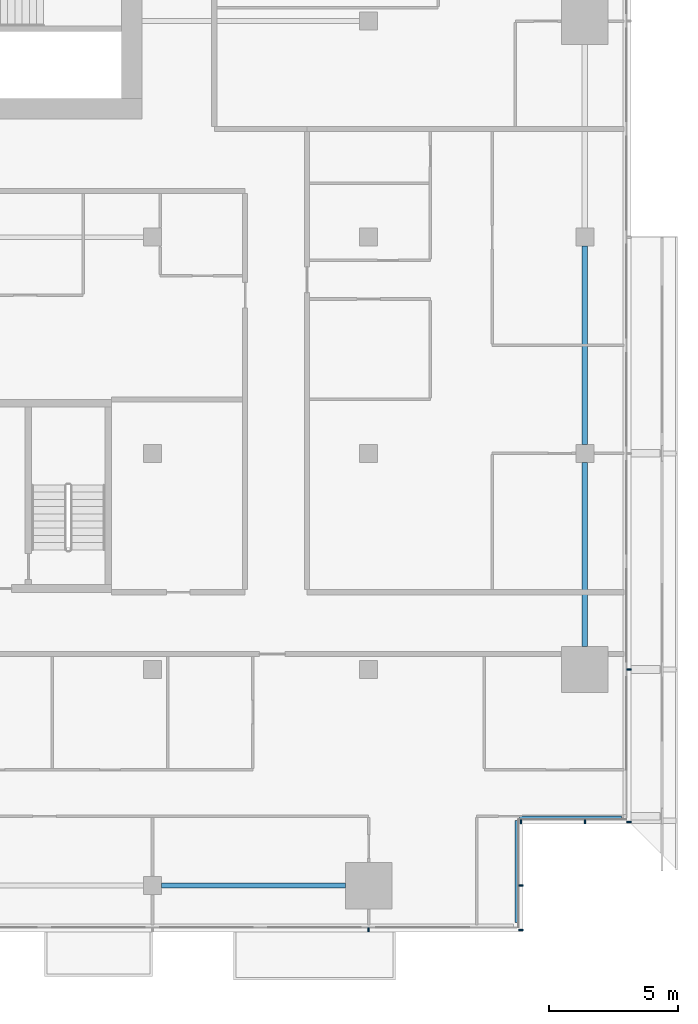
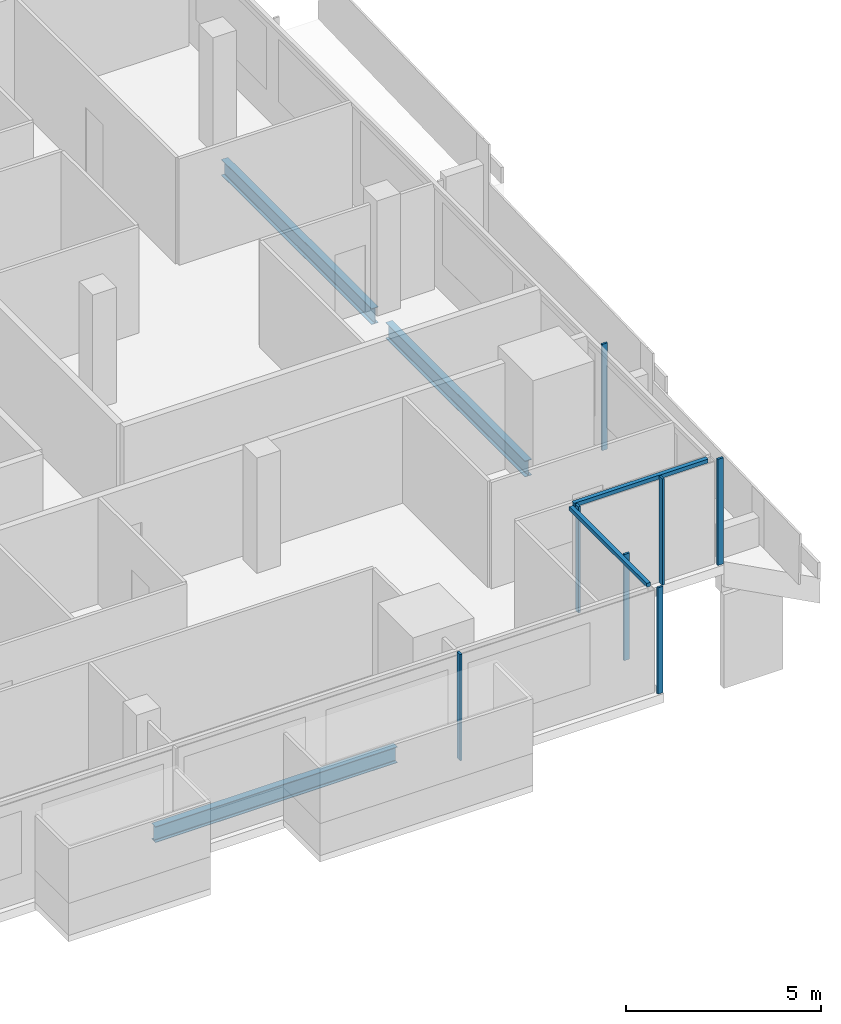
# One storey, part 11 of 29: 9 members, 3 beams, 4 elements without a shape of their own.
"""IFC4 building model written with IfcOpenShell, lengths in metres."""

from ifc_helpers import new_model, si_unit, direction, frame, origin, origin_2d, place, context, subcontext, project, spatial, rectangle, i_section, extrude, material, material_profile, profile_set, type_object, element, aggregate, save


model = new_model("IFC4")

# Units and contexts
model_context = context("Model", 3, precision=1e-05, world=origin(), true_north=direction((0.0, 1.0)))
body_context = subcontext(model_context, "Body", "Model", "MODEL_VIEW")
ifc_project = project(units=[si_unit("LENGTHUNIT", "METRE"), si_unit("AREAUNIT", "SQUARE_METRE"), si_unit("VOLUMEUNIT", "CUBIC_METRE"), si_unit("PLANEANGLEUNIT", "RADIAN"), si_unit("MASSUNIT", "GRAM", prefix="KILO")], contexts=[model_context])

# Site, building, storey
site_placement = place(None, origin())
site = spatial("IfcSite", under=ifc_project, at=site_placement, CompositionType="ELEMENT")
building_placement = place(site_placement, origin())
building = spatial("IfcBuilding", under=site, at=building_placement, Name="Saffron Gate Tower", CompositionType="ELEMENT")
storey_placement = place(building_placement, frame((0.0, 0.0, 161.85009765625)))
storey = spatial("IfcBuildingStorey", under=building, at=storey_placement, Name="L39", CompositionType="ELEMENT", Elevation=161.85009765625)

# Beams
ifc_material_1 = material(Name="Structural steel S355", Category="steel")
ifc_material_profile_1 = material_profile(ifc_material_1, i_section(OverallWidth=0.199951171875, OverallDepth=0.5, WebThickness=0.01025390625, FlangeThickness=0.01611328125, FilletRadius=0.02099609375, at=origin_2d()))
ifc_profile_set_1 = profile_set([ifc_material_profile_1], Name="Structural steel S355")
beam_type = type_object("IfcBeamType", Name="B11 IPE 500", PredefinedType="SPANDREL", material=ifc_profile_set_1)
beam_1_placement = place(storey_placement, frame((108.949951171875, 31.800048828125, -0.530029296875), z_axis=(1.0, 0.0, 0.0), x_axis=(0.0, 1.0, 0.0)))
element("IfcBeam", 1, at=beam_1_placement, inside=storey, type_object=beam_type, Name="B11 SPANDREL BEAM", PredefinedType="SPANDREL", context=body_context, shape_type="SweptSolid", body=[
    extrude(i_section(OverallWidth=0.199951171875, OverallDepth=0.5, WebThickness=0.01025390625, FlangeThickness=0.01611328125, FilletRadius=0.02099609375, at=origin_2d()), origin(), (0.0, 0.0, 1.0), 7.150146484375),
])
beam_2_placement = place(storey_placement, frame((125.39990234375, 41.10009765625, -0.530029296875), z_axis=(0.0, 1.0, 0.0), x_axis=(-1.0, 0.0, 0.0)))
element("IfcBeam", 2, at=beam_2_placement, inside=storey, type_object=beam_type, Name="B11 SPANDREL BEAM", PredefinedType="SPANDREL", context=body_context, shape_type="SweptSolid", body=[
    extrude(i_section(OverallWidth=0.199951171875, OverallDepth=0.5, WebThickness=0.01025390625, FlangeThickness=0.01611328125, FilletRadius=0.02099609375, at=origin_2d()), origin(), (0.0, 0.0, 1.0), 7.14990234375),
])
beam_3_placement = place(storey_placement, frame((125.39990234375, 48.949951171875, -0.530029296875), z_axis=(0.0, 1.0, 0.0), x_axis=(-1.0, 0.0, 0.0)))
element("IfcBeam", 3, at=beam_3_placement, inside=storey, type_object=beam_type, Name="B11 SPANDREL BEAM", PredefinedType="SPANDREL", context=body_context, shape_type="SweptSolid", body=[
    extrude(i_section(OverallWidth=0.199951171875, OverallDepth=0.5, WebThickness=0.01025390625, FlangeThickness=0.01611328125, FilletRadius=0.02099609375, at=origin_2d()), origin(), (0.0, 0.0, 1.0), 7.699951171875),
])

# Curtain wall, member
ifc_material_2 = material(Name="Aluminium, bronze anodised", Category="aluminium")
curtain_wall_type_1 = type_object("IfcCurtainWallType", Name="CWS1 curtain wall front facade", PredefinedType="NOTDEFINED", material=ifc_material_2)
curtain_wall_1_placement = place(storey_placement, origin())
curtain_wall_1 = element("IfcCurtainWall", 4, at=curtain_wall_1_placement, inside=storey, type_object=curtain_wall_type_1, Name="CWS1 run 1", PredefinedType="NOTDEFINED")
ifc_material_profile_2 = material_profile(ifc_material_2, rectangle(XDim=0.159912109375, YDim=0.06005859375, at=origin_2d()))
ifc_profile_set_2 = profile_set([ifc_material_profile_2], Name="Aluminium, bronze anodised")
member_type_1 = type_object("IfcMemberType", Name="CWS1 mullion 60x160", PredefinedType="MULLION", material=ifc_profile_set_2)
member_1_placement = place(storey_placement, frame((117.0, 30.080078125, 0.0), z_axis=(0.0, 0.0, 1.0), x_axis=(0.0, 1.0, 0.0)))
member_1 = element("IfcMember", 5, at=member_1_placement, type_object=member_type_1, Name="CWS1 mullion 9", PredefinedType="MULLION", context=body_context, shape_type="SweptSolid", body=[
    extrude(rectangle(XDim=0.159912109375, YDim=0.06005859375, at=origin_2d()), origin(), (0.0, 0.0, 1.0), 3.31982421875),
])
aggregate(curtain_wall_1, [member_1])

# Curtain wall, members
curtain_wall_type_2 = type_object("IfcCurtainWallType", Name="CWS2 curtain wall side facades", PredefinedType="NOTDEFINED", material=ifc_material_2)
curtain_wall_2_placement = place(storey_placement, origin())
curtain_wall_2 = element("IfcCurtainWall", 6, at=curtain_wall_2_placement, inside=storey, type_object=curtain_wall_type_2, Name="CWS2 run 4", PredefinedType="NOTDEFINED")
ifc_material_profile_3 = material_profile(ifc_material_2, rectangle(XDim=0.159912109375, YDim=0.06005859375, at=origin_2d()))
ifc_profile_set_3 = profile_set([ifc_material_profile_3], Name="Aluminium, bronze anodised")
member_type_2 = type_object("IfcMemberType", Name="CWS2 mullion 60x160", PredefinedType="MULLION", material=ifc_profile_set_3)
member_2_placement = place(storey_placement, frame((127.1201171875, 34.280029296875, 0.0), z_axis=(0.0, 0.0, 1.0), x_axis=(-1.0, 0.0, 0.0)))
member_2 = element("IfcMember", 7, at=member_2_placement, type_object=member_type_2, Name="CWS2 mullion 1", PredefinedType="MULLION", context=body_context, shape_type="SweptSolid", body=[
    extrude(rectangle(XDim=0.159912109375, YDim=0.06005859375, at=origin_2d()), origin(), (0.0, 0.0, 1.0), 3.31982421875),
])
member_3_placement = place(storey_placement, frame((127.1201171875, 40.199951171875, 0.0), z_axis=(0.0, 0.0, 1.0), x_axis=(-1.0, 0.0, 0.0)))
member_3 = element("IfcMember", 8, at=member_3_placement, type_object=member_type_2, Name="CWS2 mullion 2", PredefinedType="MULLION", context=body_context, shape_type="SweptSolid", body=[
    extrude(rectangle(XDim=0.159912109375, YDim=0.06005859375, at=origin_2d()), origin(), (0.0, 0.0, 1.0), 3.31982421875),
])
aggregate(curtain_wall_2, [member_2, member_3])

# Curtain wall, member
curtain_wall_type_3 = type_object("IfcCurtainWallType", Name="CWS4 curtain wall corner returns", PredefinedType="NOTDEFINED", material=ifc_material_2)
curtain_wall_3_placement = place(storey_placement, origin())
curtain_wall_3 = element("IfcCurtainWall", 9, at=curtain_wall_3_placement, inside=storey, type_object=curtain_wall_type_3, Name="CWS4 run 2", PredefinedType="NOTDEFINED")
ifc_material_profile_4 = material_profile(ifc_material_2, rectangle(XDim=0.1201171875, YDim=0.1201171875, at=origin_2d()))
ifc_profile_set_4 = profile_set([ifc_material_profile_4], Name="Aluminium, bronze anodised")
member_type_3 = type_object("IfcMemberType", Name="CWS4 head transom", PredefinedType="USERDEFINED", material=ifc_profile_set_4)
member_4_placement = place(storey_placement, frame((122.751953125, 30.367919921875, 3.260009765625), z_axis=(0.0, 1.0, 0.0), x_axis=(-1.0, 0.0, 0.0)))
member_4 = element("IfcMember", 10, at=member_4_placement, type_object=member_type_3, Name="CWS4 head transom", ObjectType="TRANSOM", PredefinedType="USERDEFINED", context=body_context, shape_type="SweptSolid", body=[
    extrude(rectangle(XDim=0.1201171875, YDim=0.1201171875, at=origin_2d()), origin(), (0.0, 0.0, 1.0), 3.9599609375),
])

curtain_wall_4_placement = place(storey_placement, origin())
curtain_wall_4 = element("IfcCurtainWall", 11, at=curtain_wall_4_placement, inside=storey, type_object=curtain_wall_type_3, Name="CWS4 run 3", PredefinedType="NOTDEFINED")
member_5_placement = place(storey_placement, frame((122.8720703125, 34.447998046875, 3.260009765625), z_axis=(1.0, 0.0, 0.0), x_axis=(0.0, 1.0, 0.0)))
member_5 = element("IfcMember", 12, at=member_5_placement, type_object=member_type_3, Name="CWS4 head transom", ObjectType="TRANSOM", PredefinedType="USERDEFINED", context=body_context, shape_type="SweptSolid", body=[
    extrude(rectangle(XDim=0.1201171875, YDim=0.1201171875, at=origin_2d()), origin(), (0.0, 0.0, 1.0), 3.9599609375),
])

# Member
ifc_material_profile_5 = material_profile(ifc_material_2, rectangle(XDim=0.159912109375, YDim=0.06005859375, at=origin_2d()))
ifc_profile_set_5 = profile_set([ifc_material_profile_5], Name="Aluminium, bronze anodised")
member_type_4 = type_object("IfcMemberType", Name="CWS4 mullion 60x160", PredefinedType="MULLION", material=ifc_profile_set_5)
member_6_placement = place(storey_placement, frame((122.919921875, 30.080078125, 0.0), z_axis=(0.0, 0.0, 1.0), x_axis=(-1.0, 0.0, 0.0)))
member_6 = element("IfcMember", 13, at=member_6_placement, type_object=member_type_4, Name="CWS4 mullion 1", PredefinedType="MULLION", context=body_context, shape_type="SweptSolid", body=[
    extrude(rectangle(XDim=0.159912109375, YDim=0.06005859375, at=origin_2d()), origin(), (0.0, 0.0, 1.0), 3.31982421875),
])

member_7_placement = place(storey_placement, frame((122.919921875, 31.800048828125, 0.0), z_axis=(0.0, 0.0, 1.0), x_axis=(-1.0, 0.0, 0.0)))
member_7 = element("IfcMember", 14, at=member_7_placement, type_object=member_type_4, Name="CWS4 mullion 2", PredefinedType="MULLION", context=body_context, shape_type="SweptSolid", body=[
    extrude(rectangle(XDim=0.159912109375, YDim=0.06005859375, at=origin_2d()), origin(), (0.0, 0.0, 1.0), 3.31982421875),
])

aggregate(curtain_wall_3, [member_6, member_7, member_4])

member_8_placement = place(storey_placement, frame((122.919921875, 34.280029296875, 0.0), z_axis=(0.0, 0.0, 1.0), x_axis=(0.0, 1.0, 0.0)))
member_8 = element("IfcMember", 15, at=member_8_placement, type_object=member_type_4, Name="CWS4 mullion 1", PredefinedType="MULLION", context=body_context, shape_type="SweptSolid", body=[
    extrude(rectangle(XDim=0.159912109375, YDim=0.06005859375, at=origin_2d()), origin(), (0.0, 0.0, 1.0), 3.31982421875),
])

member_9_placement = place(storey_placement, frame((125.39990234375, 34.280029296875, 0.0), z_axis=(0.0, 0.0, 1.0), x_axis=(0.0, 1.0, 0.0)))
member_9 = element("IfcMember", 16, at=member_9_placement, type_object=member_type_4, Name="CWS4 mullion 2", PredefinedType="MULLION", context=body_context, shape_type="SweptSolid", body=[
    extrude(rectangle(XDim=0.159912109375, YDim=0.06005859375, at=origin_2d()), origin(), (0.0, 0.0, 1.0), 3.31982421875),
])

aggregate(curtain_wall_4, [member_8, member_9, member_5])

save(model, "model.ifc")
